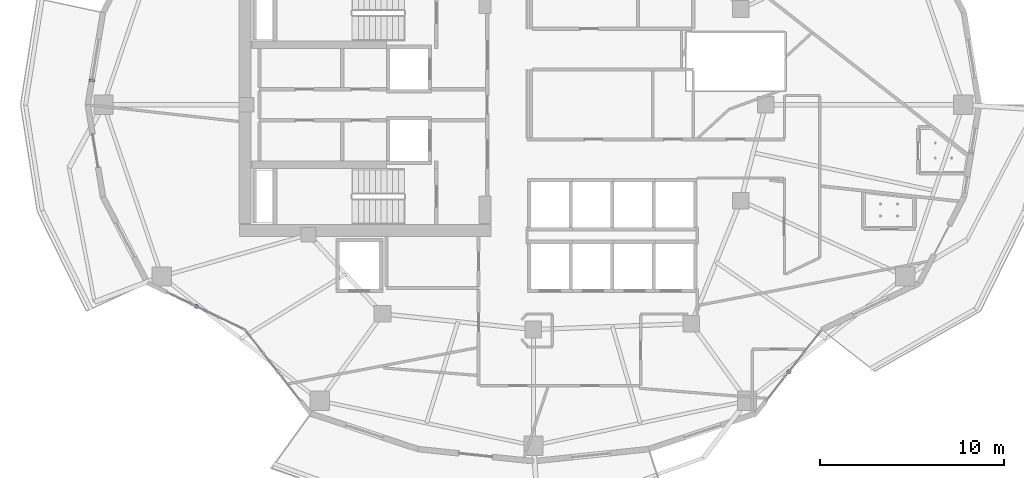
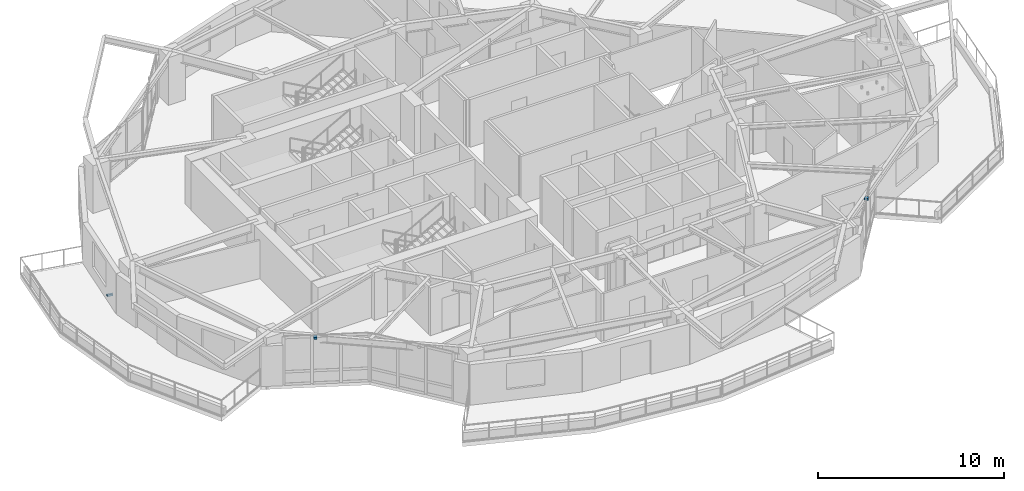
# One storey, part 12 of 18: 3 discrete accessories.
"""IFC4 building model written with IfcOpenShell, lengths in metres."""

import ifcopenshell
import ifcopenshell.guid

model = None  # the IFC model being written
_history = None  # IfcOwnerHistory: only IFC2X3 demands one
_inside = {}  # id of a spatial element -> (the spatial element, [elements in it])
_under = {}  # id of a project, library or spatial element -> (it, [spatial elements below it])
_declared = {}  # id of a project -> (the project, [libraries it declares])
_typed = {}  # id of a type object -> (the type object, [elements of that type])
_made_of = {}  # id of a material, layer set ... -> (it, [elements and type objects made of it])


def new_model(schema):
    """Start an empty IFC model of exactly this schema.

    Asked for "IFC4X3", IfcOpenShell would pick the latest addendum, in which some entities
    have other attributes; the version numbers below select the first issue.
    IFC2X3 requires an IfcOwnerHistory on every rooted entity: one is made here for all.
    """
    global model, _history
    if schema == "IFC4X3":
        model = ifcopenshell.file(schema_version=(4, 3, 0, 0))
    else:
        model = ifcopenshell.file(schema=schema)
    _inside.clear()
    _under.clear()
    _declared.clear()
    _typed.clear()
    _made_of.clear()
    _history = None
    if model.schema == "IFC2X3":
        org = make("IfcOrganization", Name="unknown")
        user = make(
            "IfcPersonAndOrganization",
            ThePerson=make("IfcPerson", FamilyName="unknown"),
            TheOrganization=org,
        )
        app = make(
            "IfcApplication",
            ApplicationDeveloper=org,
            Version="unknown",
            ApplicationFullName="unknown",
            ApplicationIdentifier="unknown",
        )
        _history = make(
            "IfcOwnerHistory",
            OwningUser=user,
            OwningApplication=app,
            ChangeAction="ADDED",
            CreationDate=0,
        )
    return model


def make(cls, **values):
    """One entity of the class cls with the attributes given. An attribute that is None is left unset."""
    return model.create_entity(
        cls, **{name: value for name, value in values.items() if value is not None}
    )


def rooted(cls, **values):
    """An entity with a GlobalId (a new one), such as an element, a storey or a relation."""
    return make(cls, GlobalId=ifcopenshell.guid.new(), OwnerHistory=_history, **values)


def si_unit(unit_type, name, prefix=None):
    """IfcSIUnit, for example si_unit("LENGTHUNIT", "METRE", prefix="MILLI")."""
    return make("IfcSIUnit", UnitType=unit_type, Prefix=prefix, Name=name)


def assignment(units):
    """IfcUnitAssignment: the units of a project."""
    return None if units is None else make("IfcUnitAssignment", Units=units)


def point(xyz):
    """IfcCartesianPoint."""
    return None if xyz is None else make("IfcCartesianPoint", Coordinates=xyz)


def direction(xyz):
    """IfcDirection."""
    return None if xyz is None else make("IfcDirection", DirectionRatios=xyz)


def frame(location, z_axis=None, x_axis=None):
    """IfcAxis2Placement3D, a coordinate frame: its origin and axes. An axis left out is left unset."""
    return make(
        "IfcAxis2Placement3D",
        Location=point(location),
        Axis=direction(z_axis),
        RefDirection=direction(x_axis),
    )


def frame_2d(location, x_axis=None):
    """IfcAxis2Placement2D, a coordinate frame in the plane: its origin and x axis."""
    return make(
        "IfcAxis2Placement2D", Location=point(location), RefDirection=direction(x_axis)
    )


def origin():
    """The frame at (0, 0, 0) with its axes left unset."""
    return frame((0.0, 0.0, 0.0))


def origin_2d():
    """The frame at (0, 0) in the plane with its x axis left unset."""
    return frame_2d((0.0, 0.0))


def place(relative_to, where):
    """IfcLocalPlacement: puts the frame where relative to a parent placement (None: the world)."""
    return make(
        "IfcLocalPlacement", PlacementRelTo=relative_to, RelativePlacement=where
    )


def context(
    kind, dimensions, precision=None, world=None, true_north=None, identifier=None
):
    """IfcGeometricRepresentationContext, for example the 3D "Model" context."""
    return make(
        "IfcGeometricRepresentationContext",
        ContextIdentifier=identifier,
        ContextType=kind,
        CoordinateSpaceDimension=dimensions,
        Precision=precision,
        WorldCoordinateSystem=world,
        TrueNorth=true_north,
    )


def subcontext(parent, identifier, kind, view, scale=None):
    """IfcGeometricRepresentationSubContext, for example "Body" below "Model"."""
    return make(
        "IfcGeometricRepresentationSubContext",
        ContextIdentifier=identifier,
        ContextType=kind,
        ParentContext=parent,
        TargetScale=scale,
        TargetView=view,
    )


def project(units=None, contexts=None):
    """IfcProject with its units and contexts."""
    return rooted(
        "IfcProject",
        Name="project",
        RepresentationContexts=contexts,
        UnitsInContext=assignment(units),
    )


def spatial(cls, under=None, at=None, **own):
    """A site, building, storey or space (cls), placed at a placement, below another one or the project."""
    s = rooted(cls, ObjectPlacement=at, **own)
    if under is not None:
        _under.setdefault(under.id(), (under, []))[1].append(s)
    return s


def profile(cls, at=None, kind="AREA", **sizes):
    """A parametric profile (cls). Its sizes go by their IFC names, for example OverallWidth=200.0."""
    return make(cls, ProfileType=kind, Position=at, **sizes)


def rectangle(**sizes):
    """IfcRectangleProfileDef."""
    return profile("IfcRectangleProfileDef", **sizes)


def extrude(swept, where, along, depth):
    """IfcExtrudedAreaSolid: the profile swept, set in the frame where, extruded along a direction by depth."""
    return make(
        "IfcExtrudedAreaSolid",
        SweptArea=swept,
        Position=where,
        ExtrudedDirection=direction(along),
        Depth=depth,
    )


def shape(context_of_items, identifier, shape_type, items):
    """IfcShapeRepresentation: the items that make up one representation, for example the "Body"."""
    return make(
        "IfcShapeRepresentation",
        ContextOfItems=context_of_items,
        RepresentationIdentifier=identifier,
        RepresentationType=shape_type,
        Items=items,
    )


def material(Name=None, Category=None):
    """IfcMaterial."""
    return make("IfcMaterial", Name=Name, Category=Category)


def made_of(thing, what):
    """Note that an element or type object is made of a material, layer set ...; save() writes the relation."""
    if what is not None:
        _made_of.setdefault(what.id(), (what, []))[1].append(thing)
    return thing


def type_object(cls, material=None, **own):
    """A type object (cls), such as IfcWallType, which elements share."""
    return made_of(rooted(cls, **own), material)


def element(
    cls,
    number,
    at=None,
    inside=None,
    cuts=None,
    type_object=None,
    material=None,
    context=None,
    identifier="Body",
    shape_type=None,
    held_by="IfcProductDefinitionShape",
    body=None,
    shapes=None,
    **own,
):
    """One element of the class cls, such as IfcWall. Its Tag is "e" and its number.

    at: its placement. inside: the storey or other place that contains it. cuts: it is an
    opening in that element (IfcRelVoidsElement). A single representation is given by context,
    identifier, shape_type and body (its items); several are given by shapes. held_by: the class
    of the entity that holds the representations. save() writes the other relations.
    """
    e = rooted(cls, Tag="e%d" % number, ObjectPlacement=at, **own)
    if body is not None:
        shapes = [shape(context, identifier, shape_type, body)]
    if shapes is not None:
        e.Representation = make(held_by, Representations=shapes)
    if inside is not None:
        _inside.setdefault(inside.id(), (inside, []))[1].append(e)
    if cuts is not None:
        rooted(
            "IfcRelVoidsElement", RelatingBuildingElement=cuts, RelatedOpeningElement=e
        )
    if type_object is not None:
        _typed.setdefault(type_object.id(), (type_object, []))[1].append(e)
    return made_of(e, material)


def aggregate(whole, parts):
    """IfcRelAggregates: a whole, such as a stair, and the parts it consists of."""
    return rooted("IfcRelAggregates", RelatingObject=whole, RelatedObjects=parts)


def save(model, path):
    """Write the relations noted so far, then the file.

    IfcRelAggregates (storeys below a building ...), IfcRelContainedInSpatialStructure (elements
    in a storey), IfcRelDefinesByType, IfcRelAssociatesMaterial and IfcRelDeclares: one each for
    every whole, place, type object, material and project.
    """
    for whole, parts in _under.values():
        aggregate(whole, parts)
    for where, things in _inside.values():
        rooted(
            "IfcRelContainedInSpatialStructure",
            RelatedElements=things,
            RelatingStructure=where,
        )
    for kind, things in _typed.values():
        rooted("IfcRelDefinesByType", RelatedObjects=things, RelatingType=kind)
    for what, things in _made_of.values():
        rooted("IfcRelAssociatesMaterial", RelatedObjects=things, RelatingMaterial=what)
    for by, libraries in _declared.values():
        rooted("IfcRelDeclares", RelatingContext=by, RelatedDefinitions=libraries)
    model.write(path)


model = new_model("IFC4")

# Units and contexts
model_context = context("Model", 3, precision=1e-05, world=origin(), true_north=direction((0.0, 1.0)))
body_context = subcontext(model_context, "Body", "Model", "MODEL_VIEW")
ifc_project = project(units=[si_unit("LENGTHUNIT", "METRE"), si_unit("AREAUNIT", "SQUARE_METRE"), si_unit("VOLUMEUNIT", "CUBIC_METRE"), si_unit("PLANEANGLEUNIT", "RADIAN"), si_unit("MASSUNIT", "GRAM", prefix="KILO")], contexts=[model_context])

# Site, building, storey
site_placement = place(None, origin())
site = spatial("IfcSite", under=ifc_project, at=site_placement, CompositionType="ELEMENT")
building_placement = place(site_placement, origin())
building = spatial("IfcBuilding", under=site, at=building_placement, Name="Kolvaren Gate Tower and Convention Centre", CompositionType="ELEMENT")
storey_placement = place(building_placement, frame((0.0, 0.0, 115.5)))
storey = spatial("IfcBuildingStorey", under=building, at=storey_placement, Name="L28", CompositionType="ELEMENT", Elevation=115.5)

# Discrete accessories
ifc_material = material(Name="Anodized Architectural Aluminium Alloy 6063-T6", Category="aluminium")
discrete_accessory_type = type_object("IfcDiscreteAccessoryType", Name="ARCH-ACC-BRACKET-120", PredefinedType="BRACKET", material=ifc_material)
discrete_accessory_placement = place(storey_placement, frame((6.1533203125, 28.310302734375, 0.2900390625), z_axis=(0.0, 0.0, 1.0), x_axis=(0.162389178836, 0.986726788223, 0.0)))
element("IfcDiscreteAccessory", 1, at=discrete_accessory_placement, inside=storey, type_object=discrete_accessory_type, Name="Ceramic Fin Wall Anchor Bracket FBK-L28-11", PredefinedType="BRACKET", context=body_context, shape_type="SweptSolid", body=[
    extrude(rectangle(XDim=0.1201171875, YDim=0.320068359375, at=origin_2d()), origin(), (0.0, 0.0, 1.0), 0.1201171875),
])
for number, where, z_axis, x_axis, name in (
    (2, (11.82958984375, 16.051025390625, 2.949951171875), (0.0, 0.0, 1.0), (0.901362925045, -0.433064518696, 0.0), "Solar Screen Spandrel Anchor Bracket BK-L28-14"),
    (3, (43.993896484375, 12.509765625, 2.949951171875), (0.0, 0.0, 1.0), (0.616424499081, 0.787414018756, 0.0), "Solar Screen Spandrel Anchor Bracket BK-L28-20"),
):
    element("IfcDiscreteAccessory", number, at=place(storey_placement, frame(where, z_axis=z_axis, x_axis=x_axis)), inside=storey, type_object=discrete_accessory_type, Name=name, PredefinedType="BRACKET", context=body_context, shape_type="SweptSolid", body=[
        extrude(rectangle(XDim=0.179931640625, YDim=0.219970703125, at=origin_2d()), origin(), (0.0, 0.0, 1.0), 0.1201171875),
    ])

save(model, "model.ifc")
